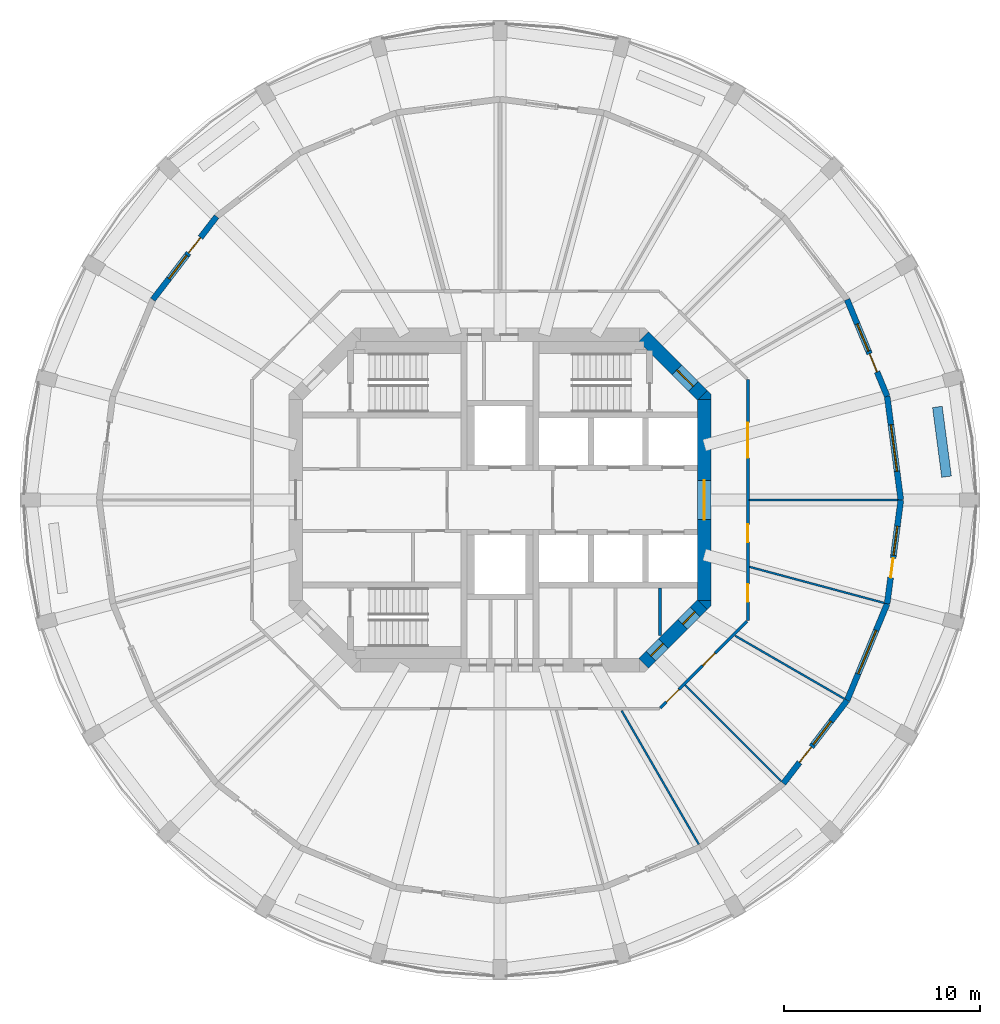
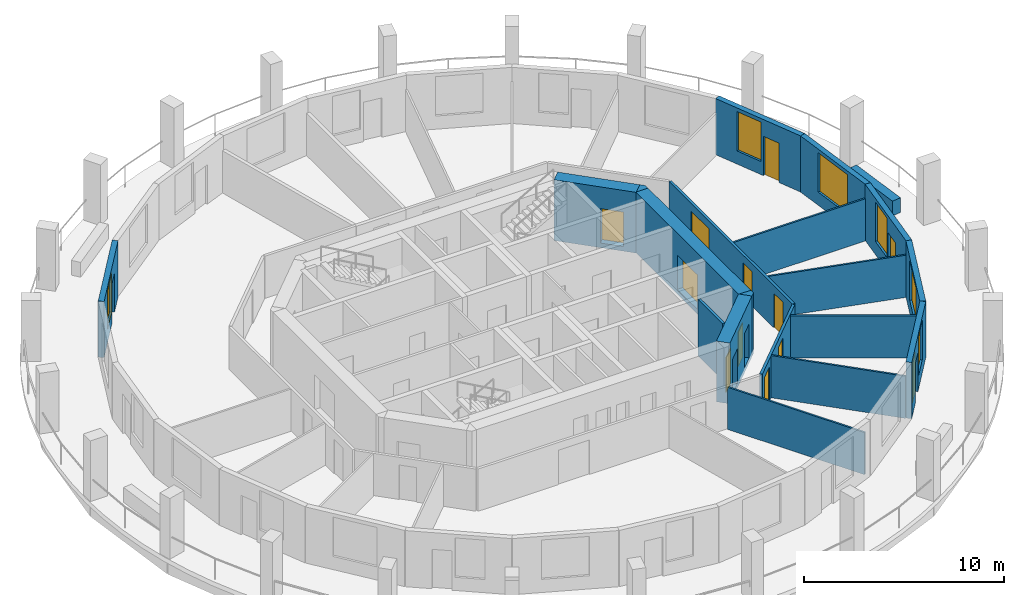
# One storey, part 5 of 9: 20 walls, 13 doors, 6 windows, 19 openings.
"""IFC4 building model written with IfcOpenShell, lengths in metres."""

from ifc_helpers import new_model, si_unit, direction, frame, frame_2d, origin, place, context, subcontext, project, spatial, polyline, rectangle, outline, extrude, material, layer, layer_set, type_object, element, fill, save


model = new_model("IFC4")

# Units and contexts
model_context = context("Model", 3, precision=1e-05, world=origin(), true_north=direction((0.0, 1.0)))
body_context = subcontext(model_context, "Body", "Model", "MODEL_VIEW")
ifc_project = project(units=[si_unit("LENGTHUNIT", "METRE"), si_unit("AREAUNIT", "SQUARE_METRE"), si_unit("VOLUMEUNIT", "CUBIC_METRE"), si_unit("PLANEANGLEUNIT", "RADIAN"), si_unit("MASSUNIT", "GRAM", prefix="KILO")], contexts=[model_context])

# Site, building, storey
site_placement = place(None, origin())
site = spatial("IfcSite", under=ifc_project, at=site_placement, CompositionType="ELEMENT")
building_placement = place(site_placement, origin())
building = spatial("IfcBuilding", under=site, at=building_placement, Name="Torre Triforio", CompositionType="ELEMENT")
storey_placement = place(building_placement, frame((0.0, 0.0, 226.10009765625)))
storey = spatial("IfcBuildingStorey", under=building, at=storey_placement, Name="L51", CompositionType="ELEMENT", Elevation=226.10009765625)

# Wall, opening, door
ifc_material_1 = material(Name="Concrete C50", Category="concrete")
ifc_layer_1 = layer(ifc_material_1, 0.699951171875)
ifc_layer_set_1 = layer_set([ifc_layer_1], Name="Concrete C50")
wall_type_1 = type_object("IfcWallType", Name="Core wall 700 mm C50 EI 120", PredefinedType="SHEAR", material=ifc_layer_set_1)
wall_1_placement = place(storey_placement, frame((10.449951171875, -5.1298828125, -0.280029296875), z_axis=(0.0, 0.0, 1.0), x_axis=(0.0, 1.0, 0.0)))
wall_1 = element("IfcWall", 1, at=wall_1_placement, inside=storey, type_object=wall_type_1, Name="Core wall", PredefinedType="SHEAR", context=body_context, shape_type="SweptSolid", body=[
    extrude(rectangle(XDim=10.259765625, YDim=0.699951171875, at=frame_2d((5.1298828125, 0.0))), origin(), (0.0, 0.0, 1.0), 3.699951171875),
])
opening_1_placement = place(wall_1_placement, frame((4.1298828125, 0.0, 0.280029296875)))
opening_1 = element("IfcOpeningElement", 2, at=opening_1_placement, cuts=wall_1, Name="Opening E-RING", PredefinedType="OPENING", context=body_context, shape_type="SweptSolid", body=[
    extrude(rectangle(XDim=2.0, YDim=2.10009765625, at=frame_2d((1.0, 1.050048828125))), frame((0.0, 0.35986328125, 0.0), z_axis=(0.0, -1.0, 0.0), x_axis=(1.0, 0.0, 0.0)), (0.0, 0.0, 1.0), 0.719970703125),
])
ifc_material_2 = material(Name="Hollow metal fire door leaf")
door_type_1 = type_object("IfcDoorType", Name="Lobby door 2000 x 2100 EI 60", OperationType="DOUBLE_DOOR_SINGLE_SWING", PredefinedType="DOOR", material=ifc_material_2)
door_1_placement = place(opening_1_placement, origin())
door_1 = element("IfcDoor", 3, at=door_1_placement, inside=storey, type_object=door_type_1, Name="Core door E-RING", OperationType="DOUBLE_DOOR_SINGLE_SWING", OverallHeight=2.10009765625, OverallWidth=2.0, PredefinedType="DOOR", context=body_context, shape_type="SweptSolid", body=[
    extrude(rectangle(XDim=2.0, YDim=2.10009765625, at=frame_2d((1.0, 1.050048828125))), frame((0.0, 0.02490234375, 0.0), z_axis=(0.0, -1.0, 0.0), x_axis=(1.0, 0.0, 0.0)), (0.0, 0.0, 1.0), 0.050048828125),
])
fill(opening_1, door_1)

wall_2_placement = place(storey_placement, frame((7.347412109375, 8.347412109375, -0.280029296875), z_axis=(0.0, 0.0, 1.0), x_axis=(0.707106781187, -0.707106781187, 0.0)))
wall_2 = element("IfcWall", 4, at=wall_2_placement, inside=storey, type_object=wall_type_1, Name="Core wall", PredefinedType="SHEAR", context=body_context, shape_type="SweptSolid", body=[
    extrude(rectangle(XDim=4.24267578125, YDim=0.699951171875, at=frame_2d((2.121337890625, 0.0))), origin(), (0.0, 0.0, 1.0), 3.699951171875),
])
opening_2_placement = place(wall_2_placement, frame((2.392578125, 0.0, 0.280029296875)))
opening_2 = element("IfcOpeningElement", 5, at=opening_2_placement, cuts=wall_2, Name="Opening ST2-EXIT", PredefinedType="OPENING", context=body_context, shape_type="SweptSolid", body=[
    extrude(rectangle(XDim=1.199951171875, YDim=2.10009765625, at=frame_2d((0.60009765625, 1.050048828125))), frame((0.0, 0.35986328125, 0.0), z_axis=(0.0, -1.0, 0.0), x_axis=(1.0, 0.0, 0.0)), (0.0, 0.0, 1.0), 0.719970703125),
])
door_type_2 = type_object("IfcDoorType", Name="Stair lobby door 1200 x 2100 EI 60", OperationType="NOTDEFINED", PredefinedType="DOOR", material=ifc_material_2)
door_2_placement = place(opening_2_placement, origin())
door_2 = element("IfcDoor", 6, at=door_2_placement, inside=storey, type_object=door_type_2, Name="Core door ST2-EXIT", OperationType="SINGLE_SWING_RIGHT", OverallHeight=2.10009765625, OverallWidth=1.199951171875, PredefinedType="DOOR", context=body_context, shape_type="SweptSolid", body=[
    extrude(rectangle(XDim=1.199951171875, YDim=2.10009765625, at=frame_2d((0.60009765625, 1.050048828125))), frame((0.0, 0.02490234375, 0.0), z_axis=(0.0, -1.0, 0.0), x_axis=(1.0, 0.0, 0.0)), (0.0, 0.0, 1.0), 0.050048828125),
])
fill(opening_2, door_2)

# Wall, openings, doors
wall_3_placement = place(storey_placement, frame((10.347412109375, -5.347412109375, -0.280029296875), z_axis=(0.0, 0.0, 1.0), x_axis=(-0.707106781187, -0.707106781187, 0.0)))
wall_3 = element("IfcWall", 7, at=wall_3_placement, inside=storey, type_object=wall_type_1, Name="Core wall", PredefinedType="SHEAR", context=body_context, shape_type="SweptSolid", body=[
    extrude(rectangle(XDim=4.24267578125, YDim=0.699951171875, at=frame_2d((2.121337890625, 0.0))), origin(), (0.0, 0.0, 1.0), 3.699951171875),
])
opening_3_placement = place(wall_3_placement, frame((2.82275390625, 0.0, 0.280029296875)))
opening_3 = element("IfcOpeningElement", 8, at=opening_3_placement, cuts=wall_3, Name="Opening SE-03", PredefinedType="OPENING", context=body_context, shape_type="SweptSolid", body=[
    extrude(rectangle(XDim=0.89990234375, YDim=2.10009765625, at=frame_2d((0.449951171875, 1.050048828125))), frame((0.0, 0.35986328125, 0.0), z_axis=(0.0, -1.0, 0.0), x_axis=(1.0, 0.0, 0.0)), (0.0, 0.0, 1.0), 0.719970703125),
])
opening_4_placement = place(wall_3_placement, frame((0.52001953125, 0.0, 0.280029296875)))
opening_4 = element("IfcOpeningElement", 9, at=opening_4_placement, cuts=wall_3, Name="Opening SE-04", PredefinedType="OPENING", context=body_context, shape_type="SweptSolid", body=[
    extrude(rectangle(XDim=0.89990234375, YDim=2.10009765625, at=frame_2d((0.449951171875, 1.050048828125))), frame((0.0, 0.35986328125, 0.0), z_axis=(0.0, -1.0, 0.0), x_axis=(1.0, 0.0, 0.0)), (0.0, 0.0, 1.0), 0.719970703125),
])
door_type_3 = type_object("IfcDoorType", Name="Room door 900 x 2100 EI 60", OperationType="NOTDEFINED", PredefinedType="DOOR", material=ifc_material_2)
door_3_placement = place(opening_3_placement, origin())
door_3 = element("IfcDoor", 10, at=door_3_placement, inside=storey, type_object=door_type_3, Name="Core door SE-03", OperationType="SINGLE_SWING_RIGHT", OverallHeight=2.10009765625, OverallWidth=0.89990234375, PredefinedType="DOOR", context=body_context, shape_type="SweptSolid", body=[
    extrude(rectangle(XDim=0.89990234375, YDim=2.10009765625, at=frame_2d((0.449951171875, 1.050048828125))), frame((0.0, 0.02490234375, 0.0), z_axis=(0.0, -1.0, 0.0), x_axis=(1.0, 0.0, 0.0)), (0.0, 0.0, 1.0), 0.050048828125),
])
fill(opening_3, door_3)
door_4_placement = place(opening_4_placement, origin())
door_4 = element("IfcDoor", 11, at=door_4_placement, inside=storey, type_object=door_type_3, Name="Core door SE-04", OperationType="SINGLE_SWING_LEFT", OverallHeight=2.10009765625, OverallWidth=0.89990234375, PredefinedType="DOOR", context=body_context, shape_type="SweptSolid", body=[
    extrude(rectangle(XDim=0.89990234375, YDim=2.10009765625, at=frame_2d((0.449951171875, 1.050048828125))), frame((0.0, 0.02490234375, 0.0), z_axis=(0.0, -1.0, 0.0), x_axis=(1.0, 0.0, 0.0)), (0.0, 0.0, 1.0), 0.050048828125),
])
fill(opening_4, door_4)

# Walls
wall_4_placement = place(storey_placement, frame((0.0, 0.0, -0.280029296875)))
element("IfcWall", 12, at=wall_4_placement, inside=storey, type_object=wall_type_1, Name="Core wall", PredefinedType="SHEAR", context=body_context, shape_type="SweptSolid", body=[
    extrude(outline(polyline([(10.800048828125, -5.389892578125), (10.594970703125, -5.594970703125), (10.594970703125, -5.594970703125), (10.594970703125, -5.594970703125), (10.1298828125, -5.1298828125), (10.800048828125, -5.1298828125), (10.800048828125, -5.1298828125), (10.800048828125, -5.389892578125)])), origin(), (0.0, 0.0, 1.0), 3.699951171875),
])
wall_5_placement = place(storey_placement, frame((0.0, 0.0, -0.280029296875)))
element("IfcWall", 13, at=wall_5_placement, inside=storey, type_object=wall_type_1, Name="Core wall", PredefinedType="SHEAR", context=body_context, shape_type="SweptSolid", body=[
    extrude(outline(polyline([(10.800048828125, 5.389892578125), (10.800048828125, 5.1298828125), (10.800048828125, 5.1298828125), (10.1298828125, 5.1298828125), (10.594970703125, 5.594970703125), (10.594970703125, 5.594970703125), (10.594970703125, 5.594970703125), (10.800048828125, 5.389892578125)])), origin(), (0.0, 0.0, 1.0), 3.699951171875),
])

# Wall, openings, doors
ifc_material_3 = material(Name="Plasterboard on metal studs")
ifc_layer_2 = layer(ifc_material_3, 0.14990234375)
ifc_layer_set_2 = layer_set([ifc_layer_2], Name="Plasterboard on metal studs")
wall_type_2 = type_object("IfcWallType", Name="Corridor and tenancy wall 150 mm EI 60", PredefinedType="PARTITIONING", material=ifc_layer_set_2)
wall_6_placement = place(storey_placement, frame((12.637939453125, -6.20361328125, 0.0), z_axis=(0.0, 0.0, 1.0), x_axis=(-0.707106781187, -0.707106781187, 0.0)))
wall_6 = element("IfcWall", 14, at=wall_6_placement, inside=storey, type_object=wall_type_2, Name="Partition 1", PredefinedType="PARTITIONING", context=body_context, shape_type="SweptSolid", body=[
    extrude(rectangle(XDim=6.27099609375, YDim=0.14990234375, at=frame_2d((3.135498046875, 0.0))), origin(), (0.0, 0.0, 1.0), 2.56982421875),
])
opening_5_placement = place(wall_6_placement, frame((4.935302734375, 0.0, 0.0)))
opening_5 = element("IfcOpeningElement", 15, at=opening_5_placement, cuts=wall_6, Name="Opening O7-07", PredefinedType="OPENING", context=body_context, shape_type="SweptSolid", body=[
    extrude(rectangle(XDim=0.89990234375, YDim=2.10009765625, at=frame_2d((0.449951171875, 1.050048828125))), frame((0.0, 0.0849609375, 0.0), z_axis=(0.0, -1.0, 0.0), x_axis=(1.0, 0.0, 0.0)), (0.0, 0.0, 1.0), 0.169921875),
])
opening_6_placement = place(wall_6_placement, frame((2.313720703125, 0.0, 0.0)))
opening_6 = element("IfcOpeningElement", 16, at=opening_6_placement, cuts=wall_6, Name="Opening O7-08", PredefinedType="OPENING", context=body_context, shape_type="SweptSolid", body=[
    extrude(rectangle(XDim=0.89990234375, YDim=2.10009765625, at=frame_2d((0.449951171875, 1.050048828125))), frame((0.0, 0.0849609375, 0.0), z_axis=(0.0, -1.0, 0.0), x_axis=(1.0, 0.0, 0.0)), (0.0, 0.0, 1.0), 0.169921875),
])
ifc_material_4 = material(Name="Timber", Category="wood")
door_type_4 = type_object("IfcDoorType", Name="Door 900 x 2100 single leaf EI 30", OperationType="NOTDEFINED", PredefinedType="DOOR", material=ifc_material_4)
door_5_placement = place(opening_5_placement, origin())
door_5 = element("IfcDoor", 17, at=door_5_placement, inside=storey, type_object=door_type_4, Name="Door O7-07", OperationType="SINGLE_SWING_LEFT", OverallHeight=2.10009765625, OverallWidth=0.89990234375, PredefinedType="DOOR", context=body_context, shape_type="SweptSolid", body=[
    extrude(rectangle(XDim=0.89990234375, YDim=2.10009765625, at=frame_2d((0.449951171875, 1.050048828125))), frame((0.0, 0.02490234375, 0.0), z_axis=(0.0, -1.0, 0.0), x_axis=(1.0, 0.0, 0.0)), (0.0, 0.0, 1.0), 0.050048828125),
])
fill(opening_5, door_5)
door_6_placement = place(opening_6_placement, origin())
door_6 = element("IfcDoor", 18, at=door_6_placement, inside=storey, type_object=door_type_4, Name="Door O7-08", OperationType="SINGLE_SWING_LEFT", OverallHeight=2.10009765625, OverallWidth=0.89990234375, PredefinedType="DOOR", context=body_context, shape_type="SweptSolid", body=[
    extrude(rectangle(XDim=0.89990234375, YDim=2.10009765625, at=frame_2d((0.449951171875, 1.050048828125))), frame((0.0, 0.02490234375, 0.0), z_axis=(0.0, -1.0, 0.0), x_axis=(1.0, 0.0, 0.0)), (0.0, 0.0, 1.0), 0.050048828125),
])
fill(opening_6, door_6)

wall_7_placement = place(storey_placement, frame((12.675048828125, 6.16650390625, 0.0), z_axis=(0.0, 0.0, 1.0), x_axis=(0.0, -1.0, 0.0)))
wall_7 = element("IfcWall", 19, at=wall_7_placement, inside=storey, type_object=wall_type_2, Name="Partition 10", PredefinedType="PARTITIONING", context=body_context, shape_type="SweptSolid", body=[
    extrude(rectangle(XDim=12.3330078125, YDim=0.14990234375, at=frame_2d((6.16650390625, 0.0))), origin(), (0.0, 0.0, 1.0), 2.56982421875),
])
opening_7_placement = place(wall_7_placement, frame((10.47314453125, 0.0, 0.0)))
opening_7 = element("IfcOpeningElement", 20, at=opening_7_placement, cuts=wall_7, Name="Opening O7-09", PredefinedType="OPENING", context=body_context, shape_type="SweptSolid", body=[
    extrude(rectangle(XDim=0.89990234375, YDim=2.10009765625, at=frame_2d((0.449951171875, 1.050048828125))), frame((0.0, 0.0849609375, 0.0), z_axis=(0.0, -1.0, 0.0), x_axis=(1.0, 0.0, 0.0)), (0.0, 0.0, 1.0), 0.169921875),
])
opening_8_placement = place(wall_7_placement, frame((7.41552734375, 0.0, 0.0)))
opening_8 = element("IfcOpeningElement", 21, at=opening_8_placement, cuts=wall_7, Name="Opening O7-10", PredefinedType="OPENING", context=body_context, shape_type="SweptSolid", body=[
    extrude(rectangle(XDim=0.89990234375, YDim=2.10009765625, at=frame_2d((0.449951171875, 1.050048828125))), frame((0.0, 0.0849609375, 0.0), z_axis=(0.0, -1.0, 0.0), x_axis=(1.0, 0.0, 0.0)), (0.0, 0.0, 1.0), 0.169921875),
])
opening_9_placement = place(wall_7_placement, frame((2.208251953125, 0.0, 0.0)))
opening_9 = element("IfcOpeningElement", 22, at=opening_9_placement, cuts=wall_7, Name="Opening O7-11", PredefinedType="OPENING", context=body_context, shape_type="SweptSolid", body=[
    extrude(rectangle(XDim=1.800048828125, YDim=2.10009765625, at=frame_2d((0.89990234375, 1.050048828125))), frame((0.0, 0.0849609375, 0.0), z_axis=(0.0, -1.0, 0.0), x_axis=(1.0, 0.0, 0.0)), (0.0, 0.0, 1.0), 0.169921875),
])
door_type_5 = type_object("IfcDoorType", Name="Door 1800 x 2100 double leaf EI 30", OperationType="DOUBLE_DOOR_SINGLE_SWING", PredefinedType="DOOR", material=ifc_material_4)
door_7_placement = place(opening_9_placement, origin())
door_7 = element("IfcDoor", 23, at=door_7_placement, inside=storey, type_object=door_type_5, Name="Door O7-11", OperationType="DOUBLE_DOOR_SINGLE_SWING", OverallHeight=2.10009765625, OverallWidth=1.800048828125, PredefinedType="DOOR", context=body_context, shape_type="SweptSolid", body=[
    extrude(rectangle(XDim=1.800048828125, YDim=2.10009765625, at=frame_2d((0.89990234375, 1.050048828125))), frame((0.0, 0.02490234375, 0.0), z_axis=(0.0, -1.0, 0.0), x_axis=(1.0, 0.0, 0.0)), (0.0, 0.0, 1.0), 0.050048828125),
])
fill(opening_9, door_7)
door_8_placement = place(opening_7_placement, origin())
door_8 = element("IfcDoor", 24, at=door_8_placement, inside=storey, type_object=door_type_4, Name="Door O7-09", OperationType="SINGLE_SWING_RIGHT", OverallHeight=2.10009765625, OverallWidth=0.89990234375, PredefinedType="DOOR", context=body_context, shape_type="SweptSolid", body=[
    extrude(rectangle(XDim=0.89990234375, YDim=2.10009765625, at=frame_2d((0.449951171875, 1.050048828125))), frame((0.0, 0.02490234375, 0.0), z_axis=(0.0, -1.0, 0.0), x_axis=(1.0, 0.0, 0.0)), (0.0, 0.0, 1.0), 0.050048828125),
])
fill(opening_7, door_8)
door_9_placement = place(opening_8_placement, origin())
door_9 = element("IfcDoor", 25, at=door_9_placement, inside=storey, type_object=door_type_4, Name="Door O7-10", OperationType="SINGLE_SWING_LEFT", OverallHeight=2.10009765625, OverallWidth=0.89990234375, PredefinedType="DOOR", context=body_context, shape_type="SweptSolid", body=[
    extrude(rectangle(XDim=0.89990234375, YDim=2.10009765625, at=frame_2d((0.449951171875, 1.050048828125))), frame((0.0, 0.02490234375, 0.0), z_axis=(0.0, -1.0, 0.0), x_axis=(1.0, 0.0, 0.0)), (0.0, 0.0, 1.0), 0.050048828125),
])
fill(opening_8, door_9)

# Walls
ifc_layer_3 = layer(ifc_material_3, 0.10009765625)
ifc_layer_set_3 = layer_set([ifc_layer_3], Name="Plasterboard on metal studs")
wall_type_3 = type_object("IfcWallType", Name="Partition 100 mm board on metal studs", PredefinedType="PARTITIONING", material=ifc_layer_set_3)
wall_8_placement = place(storey_placement, frame((12.75, 0.0, 0.0), z_axis=(0.0, 0.0, 1.0), x_axis=(1.0, 0.0, 0.0)))
element("IfcWall", 26, at=wall_8_placement, inside=storey, type_object=wall_type_3, Name="Partition 11", PredefinedType="PARTITIONING", context=body_context, shape_type="SweptSolid", body=[
    extrude(rectangle(XDim=7.586669921875, YDim=0.10009765625, at=frame_2d((3.79345703125, 0.0))), origin(), (0.0, 0.0, 1.0), 2.56982421875),
])
wall_9_placement = place(storey_placement, frame((6.220703125, -10.774658203125, 0.0), z_axis=(0.0, 0.0, 1.0), x_axis=(0.500016891966, -0.866015650984, 0.0)))
element("IfcWall", 27, at=wall_9_placement, inside=storey, type_object=wall_type_3, Name="Partition 23", PredefinedType="PARTITIONING", context=body_context, shape_type="SweptSolid", body=[
    extrude(rectangle(XDim=7.895263671875, YDim=0.10009765625, at=frame_2d((3.94775390625, 0.0))), origin(), (0.0, 0.0, 1.0), 2.56982421875),
])
wall_10_placement = place(storey_placement, frame((9.473876953125, -9.473876953125, 0.0), z_axis=(0.0, 0.0, 1.0), x_axis=(0.707106781187, -0.707106781187, 0.0)))
element("IfcWall", 28, at=wall_10_placement, inside=storey, type_object=wall_type_3, Name="Partition 24", PredefinedType="PARTITIONING", context=body_context, shape_type="SweptSolid", body=[
    extrude(rectangle(XDim=6.9384765625, YDim=0.10009765625, at=frame_2d((3.46923828125, 0.0))), origin(), (0.0, 0.0, 1.0), 2.56982421875),
])
wall_11_placement = place(storey_placement, frame((12.025146484375, -6.94287109375, 0.0), z_axis=(0.0, 0.0, 1.0), x_axis=(0.866026773083, -0.499997628298, 0.0)))
element("IfcWall", 29, at=wall_11_placement, inside=storey, type_object=wall_type_3, Name="Partition 25", PredefinedType="PARTITIONING", context=body_context, shape_type="SweptSolid", body=[
    extrude(rectangle(XDim=6.451171875, YDim=0.10009765625, at=frame_2d((3.2255859375, 0.0))), origin(), (0.0, 0.0, 1.0), 2.56982421875),
])
wall_12_placement = place(storey_placement, frame((12.764404296875, -3.420166015625, 0.0), z_axis=(0.0, 0.0, 1.0), x_axis=(0.965928160208, -0.258810334643, 0.0)))
element("IfcWall", 30, at=wall_12_placement, inside=storey, type_object=wall_type_3, Name="Partition 26", PredefinedType="PARTITIONING", context=body_context, shape_type="SweptSolid", body=[
    extrude(rectangle(XDim=7.1220703125, YDim=0.10009765625, at=frame_2d((3.56103515625, 0.0))), origin(), (0.0, 0.0, 1.0), 2.56982421875),
])
ifc_material_5 = material(Name="Block and board partition")
ifc_layer_4 = layer(ifc_material_5, 0.14990234375)
ifc_layer_set_4 = layer_set([ifc_layer_4], Name="Block and board partition")
wall_type_4 = type_object("IfcWallType", Name="Partition 150 mm", PredefinedType="PARTITIONING", material=ifc_layer_set_4)
wall_13_placement = place(storey_placement, frame((8.18896484375, -6.93603515625, 0.0), z_axis=(0.0, 0.0, 1.0), x_axis=(0.0, 1.0, 0.0)))
element("IfcWall", 31, at=wall_13_placement, inside=storey, type_object=wall_type_4, Name="Partition", PredefinedType="PARTITIONING", context=body_context, shape_type="SweptSolid", body=[
    extrude(rectangle(XDim=2.43603515625, YDim=0.14990234375, at=frame_2d((1.218017578125, 0.0))), origin(), (0.0, 0.0, 1.0), 3.419921875),
])
ifc_material_6 = material(Name="Limestone cladding", Category="masonry")
ifc_layer_5 = layer(ifc_material_6, 0.10009765625)
ifc_material_7 = material(Name="Concrete C40", Category="concrete")
ifc_layer_6 = layer(ifc_material_7, 0.39990234375)
ifc_layer_set_5 = layer_set([ifc_layer_5, ifc_layer_6], Name="Limestone cladding / Concrete C40")
wall_type_5 = type_object("IfcWallType", Name="Planter wall 500", PredefinedType="PARAPET", material=ifc_layer_set_5)
wall_14_placement = place(storey_placement, frame((22.83984375, 1.19140625, 0.0), z_axis=(0.0, 0.0, 1.0), x_axis=(-0.130484336385, 0.9914503709, 0.0)))
element("IfcWall", 32, at=wall_14_placement, inside=storey, type_object=wall_type_5, Name="Planter L51 bay 01", PredefinedType="PARAPET", context=body_context, shape_type="SweptSolid", body=[
    extrude(rectangle(XDim=3.599853515625, YDim=0.5, at=frame_2d((1.7998046875, 0.0))), origin(), (0.0, 0.0, 1.0), 0.89990234375),
])

# Wall, opening, window
ifc_layer_7 = layer(ifc_material_6, 0.10009765625)
ifc_layer_8 = layer(ifc_material_7, 0.199951171875)
ifc_layer_set_6 = layer_set([ifc_layer_7, ifc_layer_8], Name="Limestone cladding / Concrete C40")
wall_type_6 = type_object("IfcWallType", Name="Stone-faced composite wall 300", PredefinedType="STANDARD", material=ifc_layer_set_6)
wall_15_placement = place(storey_placement, frame((20.5, 0.0, 0.0), z_axis=(0.0, 0.0, 1.0), x_axis=(-0.130517056518, 0.991446064069, 0.0)))
wall_15 = element("IfcWall", 33, at=wall_15_placement, inside=storey, type_object=wall_type_6, Name="External wall L51 bay 01", PredefinedType="STANDARD", context=body_context, shape_type="SweptSolid", body=[
    extrude(rectangle(XDim=5.351806640625, YDim=0.300048828125, at=frame_2d((2.67578125, 0.0))), origin(), (0.0, 0.0, 1.0), 3.419921875),
])
opening_10_placement = place(wall_15_placement, frame((1.475830078125, 0.0, 0.800048828125)))
opening_10 = element("IfcOpeningElement", 34, at=opening_10_placement, cuts=wall_15, Name="Opening O7-W01", PredefinedType="OPENING", context=body_context, shape_type="SweptSolid", body=[
    extrude(rectangle(XDim=2.39990234375, YDim=2.39990234375, at=frame_2d((1.199951171875, 1.199951171875))), frame((0.0, 0.159912109375, 0.0), z_axis=(0.0, -1.0, 0.0), x_axis=(1.0, 0.0, 0.0)), (0.0, 0.0, 1.0), 0.320068359375),
])
ifc_material_8 = material(Name="Aluminium frame with clear double glazing", Category="aluminium")
window_type_1 = type_object("IfcWindowType", Name="Punched window 2400 x 2400", PartitioningType="DOUBLE_PANEL_VERTICAL", PredefinedType="WINDOW", material=ifc_material_8)
window_1_placement = place(opening_10_placement, origin())
window_1 = element("IfcWindow", 35, at=window_1_placement, inside=storey, type_object=window_type_1, Name="Window EWN4 L51 bay 01", OverallHeight=2.39990234375, OverallWidth=2.39990234375, PartitioningType="SINGLE_PANEL", PredefinedType="WINDOW", context=body_context, shape_type="SweptSolid", body=[
    extrude(rectangle(XDim=2.39990234375, YDim=2.39990234375, at=frame_2d((1.199951171875, 1.199951171875))), frame((0.0, 0.030029296875, 0.0), z_axis=(0.0, -1.0, 0.0), x_axis=(1.0, 0.0, 0.0)), (0.0, 0.0, 1.0), 0.06005859375),
])
fill(opening_10, window_1)

# Wall, openings, door, window
wall_16_placement = place(storey_placement, frame((19.801513671875, 5.305908203125, 0.0), z_axis=(0.0, 0.0, 1.0), x_axis=(-0.382713071139, 0.923867255172, 0.0)))
wall_16 = element("IfcWall", 36, at=wall_16_placement, inside=storey, type_object=wall_type_6, Name="External wall L51 bay 02", PredefinedType="STANDARD", context=body_context, shape_type="SweptSolid", body=[
    extrude(rectangle(XDim=5.3515625, YDim=0.300048828125, at=frame_2d((2.67578125, 0.0))), origin(), (0.0, 0.0, 1.0), 3.419921875),
])
opening_11_placement = place(wall_16_placement, frame((1.350830078125, 0.0, 0.0)))
opening_11 = element("IfcOpeningElement", 37, at=opening_11_placement, cuts=wall_16, Name="Opening O7-D02", PredefinedType="OPENING", context=body_context, shape_type="SweptSolid", body=[
    extrude(rectangle(XDim=1.0, YDim=2.39990234375, at=frame_2d((0.5, 1.199951171875))), frame((0.0, 0.159912109375, 0.0), z_axis=(0.0, -1.0, 0.0), x_axis=(1.0, 0.0, 0.0)), (0.0, 0.0, 1.0), 0.320068359375),
])
opening_12_placement = place(wall_16_placement, frame((2.500732421875, 0.0, 0.800048828125)))
opening_12 = element("IfcOpeningElement", 38, at=opening_12_placement, cuts=wall_16, Name="Opening O7-W02A", PredefinedType="OPENING", context=body_context, shape_type="SweptSolid", body=[
    extrude(rectangle(XDim=1.5, YDim=2.39990234375, at=frame_2d((0.75, 1.199951171875))), frame((0.0, 0.159912109375, 0.0), z_axis=(0.0, -1.0, 0.0), x_axis=(1.0, 0.0, 0.0)), (0.0, 0.0, 1.0), 0.320068359375),
])
door_type_6 = type_object("IfcDoorType", Name="Loggia door 1000 x 2400", OperationType="NOTDEFINED", PredefinedType="DOOR", material=ifc_material_8)
door_10_placement = place(opening_11_placement, origin())
door_10 = element("IfcDoor", 39, at=door_10_placement, inside=storey, type_object=door_type_6, Name="Loggia door L51 bay 02", OperationType="SINGLE_SWING_LEFT", OverallHeight=2.39990234375, OverallWidth=1.0, PredefinedType="DOOR", context=body_context, shape_type="SweptSolid", body=[
    extrude(rectangle(XDim=1.0, YDim=2.39990234375, at=frame_2d((0.5, 1.199951171875))), frame((0.0, 0.02490234375, 0.0), z_axis=(0.0, -1.0, 0.0), x_axis=(1.0, 0.0, 0.0)), (0.0, 0.0, 1.0), 0.050048828125),
])
fill(opening_11, door_10)
window_type_2 = type_object("IfcWindowType", Name="Side window 1500 x 2400", PartitioningType="SINGLE_PANEL", PredefinedType="WINDOW", material=ifc_material_8)
window_2_placement = place(opening_12_placement, origin())
window_2 = element("IfcWindow", 40, at=window_2_placement, inside=storey, type_object=window_type_2, Name="Side window EWN14 L51 bay 02", OverallHeight=2.39990234375, OverallWidth=1.5, PartitioningType="SINGLE_PANEL", PredefinedType="WINDOW", context=body_context, shape_type="SweptSolid", body=[
    extrude(rectangle(XDim=1.5, YDim=2.39990234375, at=frame_2d((0.75, 1.199951171875))), frame((0.0, 0.030029296875, 0.0), z_axis=(0.0, -1.0, 0.0), x_axis=(1.0, 0.0, 0.0)), (0.0, 0.0, 1.0), 0.06005859375),
])
fill(opening_12, window_2)

wall_17_placement = place(storey_placement, frame((-14.49560546875, 14.49560546875, 0.0), z_axis=(0.0, 0.0, 1.0), x_axis=(-0.60876670321, -0.793349293227, 0.0)))
wall_17 = element("IfcWall", 41, at=wall_17_placement, inside=storey, type_object=wall_type_6, Name="External wall L51 bay 10", PredefinedType="STANDARD", context=body_context, shape_type="SweptSolid", body=[
    extrude(rectangle(XDim=5.3515625, YDim=0.300048828125, at=frame_2d((2.67578125, 0.0))), origin(), (0.0, 0.0, 1.0), 3.419921875),
])
opening_13_placement = place(wall_17_placement, frame((1.350830078125, 0.0, 0.0)))
opening_13 = element("IfcOpeningElement", 42, at=opening_13_placement, cuts=wall_17, Name="Opening O7-D10", PredefinedType="OPENING", context=body_context, shape_type="SweptSolid", body=[
    extrude(rectangle(XDim=1.0, YDim=2.39990234375, at=frame_2d((0.5, 1.199951171875))), frame((0.0, 0.159912109375, 0.0), z_axis=(0.0, -1.0, 0.0), x_axis=(1.0, 0.0, 0.0)), (0.0, 0.0, 1.0), 0.320068359375),
])
opening_14_placement = place(wall_17_placement, frame((2.500732421875, 0.0, 0.800048828125)))
opening_14 = element("IfcOpeningElement", 43, at=opening_14_placement, cuts=wall_17, Name="Opening O7-W10A", PredefinedType="OPENING", context=body_context, shape_type="SweptSolid", body=[
    extrude(rectangle(XDim=1.5, YDim=2.39990234375, at=frame_2d((0.75, 1.199951171875))), frame((0.0, 0.159912109375, 0.0), z_axis=(0.0, -1.0, 0.0), x_axis=(1.0, 0.0, 0.0)), (0.0, 0.0, 1.0), 0.320068359375),
])
door_11_placement = place(opening_13_placement, origin())
door_11 = element("IfcDoor", 44, at=door_11_placement, inside=storey, type_object=door_type_6, Name="Loggia door L51 bay 10", OperationType="SINGLE_SWING_LEFT", OverallHeight=2.39990234375, OverallWidth=1.0, PredefinedType="DOOR", context=body_context, shape_type="SweptSolid", body=[
    extrude(rectangle(XDim=1.0, YDim=2.39990234375, at=frame_2d((0.5, 1.199951171875))), frame((0.0, 0.02490234375, 0.0), z_axis=(0.0, -1.0, 0.0), x_axis=(1.0, 0.0, 0.0)), (0.0, 0.0, 1.0), 0.050048828125),
])
fill(opening_13, door_11)
window_3_placement = place(opening_14_placement, origin())
window_3 = element("IfcWindow", 45, at=window_3_placement, inside=storey, type_object=window_type_2, Name="Side window EWN14 L51 bay 10", OverallHeight=2.39990234375, OverallWidth=1.5, PartitioningType="SINGLE_PANEL", PredefinedType="WINDOW", context=body_context, shape_type="SweptSolid", body=[
    extrude(rectangle(XDim=1.5, YDim=2.39990234375, at=frame_2d((0.75, 1.199951171875))), frame((0.0, 0.030029296875, 0.0), z_axis=(0.0, -1.0, 0.0), x_axis=(1.0, 0.0, 0.0)), (0.0, 0.0, 1.0), 0.06005859375),
])
fill(opening_14, window_3)

wall_18_placement = place(storey_placement, frame((14.49560546875, -14.49560546875, 0.0), z_axis=(0.0, 0.0, 1.0), x_axis=(0.60876670321, 0.793349293227, 0.0)))
wall_18 = element("IfcWall", 46, at=wall_18_placement, inside=storey, type_object=wall_type_6, Name="External wall L51 bay 22", PredefinedType="STANDARD", context=body_context, shape_type="SweptSolid", body=[
    extrude(rectangle(XDim=5.3515625, YDim=0.300048828125, at=frame_2d((2.67578125, 0.0))), origin(), (0.0, 0.0, 1.0), 3.419921875),
])
opening_15_placement = place(wall_18_placement, frame((1.350830078125, 0.0, 0.0)))
opening_15 = element("IfcOpeningElement", 47, at=opening_15_placement, cuts=wall_18, Name="Opening O7-D22", PredefinedType="OPENING", context=body_context, shape_type="SweptSolid", body=[
    extrude(rectangle(XDim=1.0, YDim=2.39990234375, at=frame_2d((0.5, 1.199951171875))), frame((0.0, 0.159912109375, 0.0), z_axis=(0.0, -1.0, 0.0), x_axis=(1.0, 0.0, 0.0)), (0.0, 0.0, 1.0), 0.320068359375),
])
opening_16_placement = place(wall_18_placement, frame((2.500732421875, 0.0, 0.800048828125)))
opening_16 = element("IfcOpeningElement", 48, at=opening_16_placement, cuts=wall_18, Name="Opening O7-W22A", PredefinedType="OPENING", context=body_context, shape_type="SweptSolid", body=[
    extrude(rectangle(XDim=1.5, YDim=2.39990234375, at=frame_2d((0.75, 1.199951171875))), frame((0.0, 0.159912109375, 0.0), z_axis=(0.0, -1.0, 0.0), x_axis=(1.0, 0.0, 0.0)), (0.0, 0.0, 1.0), 0.320068359375),
])
door_12_placement = place(opening_15_placement, origin())
door_12 = element("IfcDoor", 49, at=door_12_placement, inside=storey, type_object=door_type_6, Name="Loggia door L51 bay 22", OperationType="SINGLE_SWING_LEFT", OverallHeight=2.39990234375, OverallWidth=1.0, PredefinedType="DOOR", context=body_context, shape_type="SweptSolid", body=[
    extrude(rectangle(XDim=1.0, YDim=2.39990234375, at=frame_2d((0.5, 1.199951171875))), frame((0.0, 0.02490234375, 0.0), z_axis=(0.0, -1.0, 0.0), x_axis=(1.0, 0.0, 0.0)), (0.0, 0.0, 1.0), 0.050048828125),
])
fill(opening_15, door_12)
window_4_placement = place(opening_16_placement, origin())
window_4 = element("IfcWindow", 50, at=window_4_placement, inside=storey, type_object=window_type_2, Name="Side window EWN14 L51 bay 22", OverallHeight=2.39990234375, OverallWidth=1.5, PartitioningType="SINGLE_PANEL", PredefinedType="WINDOW", context=body_context, shape_type="SweptSolid", body=[
    extrude(rectangle(XDim=1.5, YDim=2.39990234375, at=frame_2d((0.75, 1.199951171875))), frame((0.0, 0.030029296875, 0.0), z_axis=(0.0, -1.0, 0.0), x_axis=(1.0, 0.0, 0.0)), (0.0, 0.0, 1.0), 0.06005859375),
])
fill(opening_16, window_4)

# Wall, opening, window
wall_19_placement = place(storey_placement, frame((17.75341796875, -10.25, 0.0), z_axis=(0.0, 0.0, 1.0), x_axis=(0.382713071139, 0.923867255172, 0.0)))
wall_19 = element("IfcWall", 51, at=wall_19_placement, inside=storey, type_object=wall_type_6, Name="External wall L51 bay 23", PredefinedType="STANDARD", context=body_context, shape_type="SweptSolid", body=[
    extrude(rectangle(XDim=5.3515625, YDim=0.300048828125, at=frame_2d((2.67578125, 0.0))), origin(), (0.0, 0.0, 1.0), 3.419921875),
])
opening_17_placement = place(wall_19_placement, frame((1.475830078125, 0.0, 0.800048828125)))
opening_17 = element("IfcOpeningElement", 52, at=opening_17_placement, cuts=wall_19, Name="Opening O7-W23", PredefinedType="OPENING", context=body_context, shape_type="SweptSolid", body=[
    extrude(rectangle(XDim=2.39990234375, YDim=2.39990234375, at=frame_2d((1.199951171875, 1.199951171875))), frame((0.0, 0.159912109375, 0.0), z_axis=(0.0, -1.0, 0.0), x_axis=(1.0, 0.0, 0.0)), (0.0, 0.0, 1.0), 0.320068359375),
])
window_5_placement = place(opening_17_placement, origin())
window_5 = element("IfcWindow", 53, at=window_5_placement, inside=storey, type_object=window_type_1, Name="Window EWN4 L51 bay 23", OverallHeight=2.39990234375, OverallWidth=2.39990234375, PartitioningType="SINGLE_PANEL", PredefinedType="WINDOW", context=body_context, shape_type="SweptSolid", body=[
    extrude(rectangle(XDim=2.39990234375, YDim=2.39990234375, at=frame_2d((1.199951171875, 1.199951171875))), frame((0.0, 0.030029296875, 0.0), z_axis=(0.0, -1.0, 0.0), x_axis=(1.0, 0.0, 0.0)), (0.0, 0.0, 1.0), 0.06005859375),
])
fill(opening_17, window_5)

# Wall, openings, door, window
wall_20_placement = place(storey_placement, frame((19.801513671875, -5.305908203125, 0.0), z_axis=(0.0, 0.0, 1.0), x_axis=(0.130517056518, 0.991446064069, 0.0)))
wall_20 = element("IfcWall", 54, at=wall_20_placement, inside=storey, type_object=wall_type_6, Name="External wall L51 bay 24", PredefinedType="STANDARD", context=body_context, shape_type="SweptSolid", body=[
    extrude(rectangle(XDim=5.351806640625, YDim=0.300048828125, at=frame_2d((2.67578125, 0.0))), origin(), (0.0, 0.0, 1.0), 3.419921875),
])
opening_18_placement = place(wall_20_placement, frame((1.350830078125, 0.0, 0.0)))
opening_18 = element("IfcOpeningElement", 55, at=opening_18_placement, cuts=wall_20, Name="Opening O7-D24", PredefinedType="OPENING", context=body_context, shape_type="SweptSolid", body=[
    extrude(rectangle(XDim=1.0, YDim=2.39990234375, at=frame_2d((0.5, 1.199951171875))), frame((0.0, 0.159912109375, 0.0), z_axis=(0.0, -1.0, 0.0), x_axis=(1.0, 0.0, 0.0)), (0.0, 0.0, 1.0), 0.320068359375),
])
opening_19_placement = place(wall_20_placement, frame((2.500732421875, 0.0, 0.800048828125)))
opening_19 = element("IfcOpeningElement", 56, at=opening_19_placement, cuts=wall_20, Name="Opening O7-W24A", PredefinedType="OPENING", context=body_context, shape_type="SweptSolid", body=[
    extrude(rectangle(XDim=1.5, YDim=2.39990234375, at=frame_2d((0.75, 1.199951171875))), frame((0.0, 0.159912109375, 0.0), z_axis=(0.0, -1.0, 0.0), x_axis=(1.0, 0.0, 0.0)), (0.0, 0.0, 1.0), 0.320068359375),
])
door_13_placement = place(opening_18_placement, origin())
door_13 = element("IfcDoor", 57, at=door_13_placement, inside=storey, type_object=door_type_6, Name="Loggia door L51 bay 24", OperationType="SINGLE_SWING_LEFT", OverallHeight=2.39990234375, OverallWidth=1.0, PredefinedType="DOOR", context=body_context, shape_type="SweptSolid", body=[
    extrude(rectangle(XDim=1.0, YDim=2.39990234375, at=frame_2d((0.5, 1.199951171875))), frame((0.0, 0.02490234375, 0.0), z_axis=(0.0, -1.0, 0.0), x_axis=(1.0, 0.0, 0.0)), (0.0, 0.0, 1.0), 0.050048828125),
])
fill(opening_18, door_13)
window_6_placement = place(opening_19_placement, origin())
window_6 = element("IfcWindow", 58, at=window_6_placement, inside=storey, type_object=window_type_2, Name="Side window EWN14 L51 bay 24", OverallHeight=2.39990234375, OverallWidth=1.5, PartitioningType="SINGLE_PANEL", PredefinedType="WINDOW", context=body_context, shape_type="SweptSolid", body=[
    extrude(rectangle(XDim=1.5, YDim=2.39990234375, at=frame_2d((0.75, 1.199951171875))), frame((0.0, 0.030029296875, 0.0), z_axis=(0.0, -1.0, 0.0), x_axis=(1.0, 0.0, 0.0)), (0.0, 0.0, 1.0), 0.06005859375),
])
fill(opening_19, window_6)

save(model, "model.ifc")
